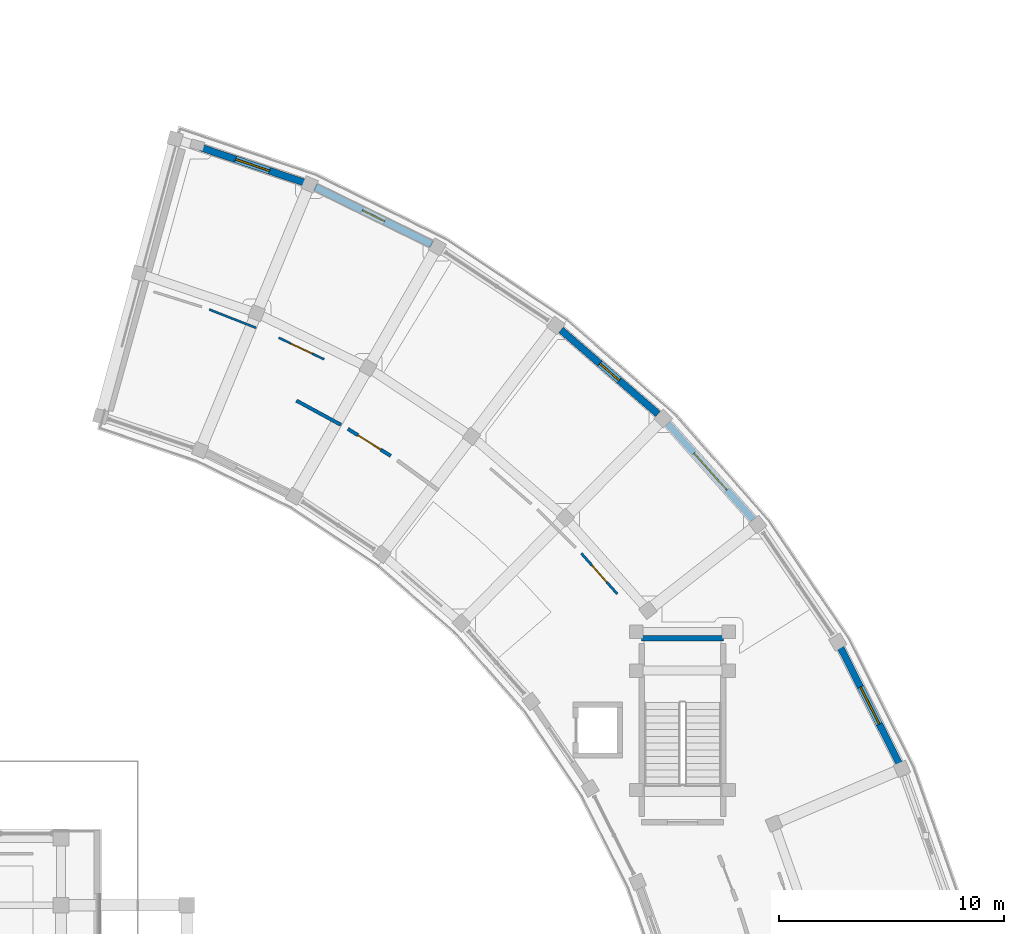
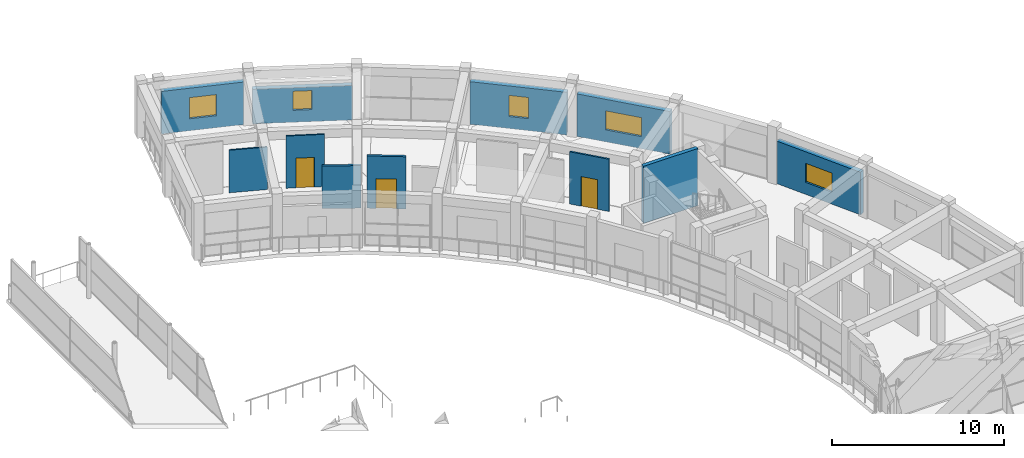
# One storey, part 39 of 53: 11 walls, 5 windows, 3 doors, 8 openings.
"""IFC4 building model written with IfcOpenShell, lengths in metres."""

from ifc_helpers import new_model, si_unit, direction, frame, frame_2d, origin, place, context, subcontext, project, spatial, rectangle, extrude, material, layer, layer_set, type_object, element, fill, save


model = new_model("IFC4")

# Units and contexts
model_context = context("Model", 3, precision=1e-05, world=origin(), true_north=direction((0.0, 1.0)))
body_context = subcontext(model_context, "Body", "Model", "MODEL_VIEW")
ifc_project = project(units=[si_unit("LENGTHUNIT", "METRE"), si_unit("AREAUNIT", "SQUARE_METRE"), si_unit("VOLUMEUNIT", "CUBIC_METRE"), si_unit("PLANEANGLEUNIT", "RADIAN"), si_unit("MASSUNIT", "GRAM", prefix="KILO")], contexts=[model_context])

# Site, building, storey
site_placement = place(None, origin())
site = spatial("IfcSite", under=ifc_project, at=site_placement, CompositionType="ELEMENT")
building_placement = place(site_placement, origin())
building = spatial("IfcBuilding", under=site, at=building_placement, Name="Saryqyr Civic Hall", CompositionType="ELEMENT")
storey_placement = place(building_placement, frame((0.0, 0.0, 21.300048828125)))
storey = spatial("IfcBuildingStorey", under=building, at=storey_placement, Name="L05", CompositionType="ELEMENT", Elevation=21.300048828125)

# Wall, opening, window
ifc_material_1 = material(Name="Precast concrete C40/50", Category="concrete")
ifc_layer_1 = layer(ifc_material_1, 0.31005859375, Name="Precast concrete C40/50")
ifc_layer_set_1 = layer_set([ifc_layer_1], Name="Precast concrete C40/50")
wall_type_1 = type_object("IfcWallType", Name="ENV-WAL-EXT-310", PredefinedType="STANDARD", material=ifc_layer_set_1)
wall_1_placement = place(storey_placement, frame((99.30859375, 108.685791015625, 0.0), z_axis=(0.0, 0.0, 1.0), x_axis=(0.451920591159, -0.892058170349, 0.0)))
wall_1 = element("IfcWall", 1, at=wall_1_placement, inside=storey, type_object=wall_type_1, Name="Exterior wall V6-EWO-L05-03", PredefinedType="STANDARD", context=body_context, shape_type="SweptSolid", body=[
    extrude(rectangle(XDim=5.801513671875, YDim=0.31005859375, at=frame_2d((2.90087890625, 0.0))), origin(), (0.0, 0.0, 1.0), 3.014892578125),
])
opening_1_placement = place(wall_1_placement, frame((1.97607421875, 0.0, 0.85009765625)))
opening_1 = element("IfcOpeningElement", 2, at=opening_1_placement, cuts=wall_1, Name="Opening W-06", PredefinedType="OPENING", context=body_context, shape_type="SweptSolid", body=[
    extrude(rectangle(XDim=1.85009765625, YDim=1.35009765625, at=frame_2d((0.925048828125, 0.675048828125))), frame((0.0, 0.1650390625, 0.0), z_axis=(0.0, -1.0, 0.0), x_axis=(1.0, 0.0, 0.0)), (0.0, 0.0, 1.0), 0.330078125),
])
ifc_material_2 = material(Name="Anodised aluminium and triple low-E glass", Category="aluminium")
window_type_1 = type_object("IfcWindowType", Name="ENV-WIN-W06", PartitioningType="SINGLE_PANEL", PredefinedType="WINDOW", material=ifc_material_2)
window_1_placement = place(opening_1_placement, origin())
window_1 = element("IfcWindow", 3, at=window_1_placement, inside=storey, type_object=window_type_1, Name="Exterior ribbon window V6-L05-03", OverallHeight=1.35009765625, OverallWidth=1.85009765625, PartitioningType="SINGLE_PANEL", PredefinedType="WINDOW", context=body_context, shape_type="SweptSolid", body=[
    extrude(rectangle(XDim=1.85009765625, YDim=1.35009765625, at=frame_2d((0.925048828125, 0.675048828125))), frame((0.0, 0.030029296875, 0.0), z_axis=(0.0, -1.0, 0.0), x_axis=(1.0, 0.0, 0.0)), (0.0, 0.0, 1.0), 0.06005859375),
])
fill(opening_1, window_1)

wall_2_placement = place(storey_placement, frame((91.626953125, 118.642333984375, 0.0), z_axis=(0.0, 0.0, 1.0), x_axis=(0.6649220167, -0.746912787217, 0.0)))
wall_2 = element("IfcWall", 4, at=wall_2_placement, inside=storey, type_object=wall_type_1, Name="Exterior wall V6-EWO-L05-05", PredefinedType="STANDARD", context=body_context, shape_type="SweptSolid", body=[
    extrude(rectangle(XDim=5.69921875, YDim=0.31005859375, at=frame_2d((2.849609375, 0.0))), origin(), (0.0, 0.0, 1.0), 3.014892578125),
])
opening_2_placement = place(wall_2_placement, frame((1.75, 0.0, 0.85009765625)))
opening_2 = element("IfcOpeningElement", 5, at=opening_2_placement, cuts=wall_2, Name="Opening W-08", PredefinedType="OPENING", context=body_context, shape_type="SweptSolid", body=[
    extrude(rectangle(XDim=2.199951171875, YDim=1.35009765625, at=frame_2d((1.10009765625, 0.675048828125))), frame((0.0, 0.1650390625, 0.0), z_axis=(0.0, -1.0, 0.0), x_axis=(1.0, 0.0, 0.0)), (0.0, 0.0, 1.0), 0.330078125),
])
window_type_2 = type_object("IfcWindowType", Name="ENV-WIN-W08", PartitioningType="SINGLE_PANEL", PredefinedType="WINDOW", material=ifc_material_2)
window_2_placement = place(opening_2_placement, origin())
window_2 = element("IfcWindow", 6, at=window_2_placement, inside=storey, type_object=window_type_2, Name="Exterior ribbon window V6-L05-05", OverallHeight=1.35009765625, OverallWidth=2.199951171875, PartitioningType="SINGLE_PANEL", PredefinedType="WINDOW", context=body_context, shape_type="SweptSolid", body=[
    extrude(rectangle(XDim=2.199951171875, YDim=1.35009765625, at=frame_2d((1.10009765625, 0.675048828125))), frame((0.0, 0.030029296875, 0.0), z_axis=(0.0, -1.0, 0.0), x_axis=(1.0, 0.0, 0.0)), (0.0, 0.0, 1.0), 0.06005859375),
])
fill(opening_2, window_2)

wall_3_placement = place(storey_placement, frame((86.87060546875, 122.818603515625, 0.0), z_axis=(0.0, 0.0, 1.0), x_axis=(0.755648143479, -0.654977773101, 0.0)))
wall_3 = element("IfcWall", 7, at=wall_3_placement, inside=storey, type_object=wall_type_1, Name="Exterior wall V6-EWO-L05-06", PredefinedType="STANDARD", context=body_context, shape_type="SweptSolid", body=[
    extrude(rectangle(XDim=5.706298828125, YDim=0.31005859375, at=frame_2d((2.85302734375, 0.0))), origin(), (0.0, 0.0, 1.0), 3.014892578125),
])
opening_3_placement = place(wall_3_placement, frame((2.278076171875, 0.0, 0.85009765625)))
opening_3 = element("IfcOpeningElement", 8, at=opening_3_placement, cuts=wall_3, Name="Opening W-09", PredefinedType="OPENING", context=body_context, shape_type="SweptSolid", body=[
    extrude(rectangle(XDim=1.14990234375, YDim=1.5, at=frame_2d((0.574951171875, 0.75))), frame((0.0, 0.1650390625, 0.0), z_axis=(0.0, -1.0, 0.0), x_axis=(1.0, 0.0, 0.0)), (0.0, 0.0, 1.0), 0.330078125),
])
window_type_3 = type_object("IfcWindowType", Name="ENV-WIN-W09", PartitioningType="SINGLE_PANEL", PredefinedType="WINDOW", material=ifc_material_2)
window_3_placement = place(opening_3_placement, origin())
window_3 = element("IfcWindow", 9, at=window_3_placement, inside=storey, type_object=window_type_3, Name="Exterior ribbon window V6-L05-06", OverallHeight=1.5, OverallWidth=1.14990234375, PartitioningType="SINGLE_PANEL", PredefinedType="WINDOW", context=body_context, shape_type="SweptSolid", body=[
    extrude(rectangle(XDim=1.14990234375, YDim=1.5, at=frame_2d((0.574951171875, 0.75))), frame((0.0, 0.030029296875, 0.0), z_axis=(0.0, -1.0, 0.0), x_axis=(1.0, 0.0, 0.0)), (0.0, 0.0, 1.0), 0.06005859375),
])
fill(opening_3, window_3)

wall_4_placement = place(storey_placement, frame((75.911376953125, 129.185791015625, 0.0), z_axis=(0.0, 0.0, 1.0), x_axis=(0.897990135392, -0.440015586927, 0.0)))
wall_4 = element("IfcWall", 10, at=wall_4_placement, inside=storey, type_object=wall_type_1, Name="Exterior wall V6-EWO-L05-08", PredefinedType="STANDARD", context=body_context, shape_type="SweptSolid", body=[
    extrude(rectangle(XDim=5.8046875, YDim=0.31005859375, at=frame_2d((2.90234375, 0.0))), origin(), (0.0, 0.0, 1.0), 2.449951171875),
])
opening_4_placement = place(wall_4_placement, frame((2.35205078125, 0.0, 0.85009765625)))
opening_4 = element("IfcOpeningElement", 11, at=opening_4_placement, cuts=wall_4, Name="Opening W-01", PredefinedType="OPENING", context=body_context, shape_type="SweptSolid", body=[
    extrude(rectangle(XDim=1.10009765625, YDim=1.35009765625, at=frame_2d((0.550048828125, 0.675048828125))), frame((0.0, 0.1650390625, 0.0), z_axis=(0.0, -1.0, 0.0), x_axis=(1.0, 0.0, 0.0)), (0.0, 0.0, 1.0), 0.330078125),
])
window_type_4 = type_object("IfcWindowType", Name="ENV-WIN-W01", PartitioningType="SINGLE_PANEL", PredefinedType="WINDOW", material=ifc_material_2)
window_4_placement = place(opening_4_placement, origin())
window_4 = element("IfcWindow", 12, at=window_4_placement, inside=storey, type_object=window_type_4, Name="Exterior ribbon window V6-L05-08", OverallHeight=1.35009765625, OverallWidth=1.10009765625, PartitioningType="SINGLE_PANEL", PredefinedType="WINDOW", context=body_context, shape_type="SweptSolid", body=[
    extrude(rectangle(XDim=1.10009765625, YDim=1.35009765625, at=frame_2d((0.550048828125, 0.675048828125))), frame((0.0, 0.030029296875, 0.0), z_axis=(0.0, -1.0, 0.0), x_axis=(1.0, 0.0, 0.0)), (0.0, 0.0, 1.0), 0.06005859375),
])
fill(opening_4, window_4)

wall_5_placement = place(storey_placement, frame((70.820556640625, 130.945068359375, 0.0), z_axis=(0.0, 0.0, 1.0), x_axis=(0.947186506556, -0.320683210969, 0.0)))
wall_5 = element("IfcWall", 13, at=wall_5_placement, inside=storey, type_object=wall_type_1, Name="Exterior wall V6-EWO-L05-09", PredefinedType="STANDARD", context=body_context, shape_type="SweptSolid", body=[
    extrude(rectangle(XDim=4.87841796875, YDim=0.31005859375, at=frame_2d((2.439208984375, 0.0))), origin(), (0.0, 0.0, 1.0), 3.014892578125),
])
opening_5_placement = place(wall_5_placement, frame((1.638916015625, 0.0, 0.85009765625)))
opening_5 = element("IfcOpeningElement", 14, at=opening_5_placement, cuts=wall_5, Name="Opening W-12", PredefinedType="OPENING", context=body_context, shape_type="SweptSolid", body=[
    extrude(rectangle(XDim=1.60009765625, YDim=1.5, at=frame_2d((0.800048828125, 0.75))), frame((0.0, 0.1650390625, 0.0), z_axis=(0.0, -1.0, 0.0), x_axis=(1.0, 0.0, 0.0)), (0.0, 0.0, 1.0), 0.330078125),
])
window_type_5 = type_object("IfcWindowType", Name="ENV-WIN-W12", PartitioningType="SINGLE_PANEL", PredefinedType="WINDOW", material=ifc_material_2)
window_5_placement = place(opening_5_placement, origin())
window_5 = element("IfcWindow", 15, at=window_5_placement, inside=storey, type_object=window_type_5, Name="Exterior ribbon window V6-L05-09", OverallHeight=1.5, OverallWidth=1.60009765625, PartitioningType="SINGLE_PANEL", PredefinedType="WINDOW", context=body_context, shape_type="SweptSolid", body=[
    extrude(rectangle(XDim=1.60009765625, YDim=1.5, at=frame_2d((0.800048828125, 0.75))), frame((0.0, 0.030029296875, 0.0), z_axis=(0.0, -1.0, 0.0), x_axis=(1.0, 0.0, 0.0)), (0.0, 0.0, 1.0), 0.06005859375),
])
fill(opening_5, window_5)

# Wall, opening, door
ifc_material_3 = material(Name="Lightweight demountable partition", Category="gypsum")
ifc_layer_2 = layer(ifc_material_3, 0.094970703125, Name="Lightweight demountable partition")
ifc_layer_set_2 = layer_set([ifc_layer_2], Name="Lightweight demountable partition")
wall_type_2 = type_object("IfcWallType", Name="INT-WAL-PRT-095", PredefinedType="PARTITIONING", material=ifc_layer_set_2)
wall_6_placement = place(storey_placement, frame((76.314208984375, 121.513916015625, 0.0), z_axis=(0.0, 0.0, 1.0), x_axis=(-0.902799981711, 0.430060685279, 0.0)))
wall_6 = element("IfcWall", 16, at=wall_6_placement, inside=storey, type_object=wall_type_2, Name="Interior partition PRT-SP-V6-L05-R03-W1", PredefinedType="PARTITIONING", context=body_context, shape_type="SweptSolid", body=[
    extrude(rectangle(XDim=2.236572265625, YDim=0.094970703125, at=frame_2d((1.1181640625, 0.0))), origin(), (0.0, 0.0, 1.0), 3.699951171875),
])
opening_6_placement = place(wall_6_placement, frame((0.593017578125, 0.0, 0.0)))
opening_6 = element("IfcOpeningElement", 17, at=opening_6_placement, cuts=wall_6, Name="Opening D-04", PredefinedType="OPENING", context=body_context, shape_type="SweptSolid", body=[
    extrude(rectangle(XDim=1.050048828125, YDim=2.10009765625, at=frame_2d((0.52490234375, 1.050048828125))), frame((0.0, 0.057373046875, 0.0), z_axis=(0.0, -1.0, 0.0), x_axis=(1.0, 0.0, 0.0)), (0.0, 0.0, 1.0), 0.114990234375),
])
ifc_material_4 = material(Name="Acoustic solid-core oak veneer", Category="wood")
door_type_1 = type_object("IfcDoorType", Name="INT-DR-D-04", OperationType="NOTDEFINED", PredefinedType="DOOR", material=ifc_material_4)
door_1_placement = place(opening_6_placement, origin())
door_1 = element("IfcDoor", 18, at=door_1_placement, inside=storey, type_object=door_type_1, Name="Interior door Executive Suite Restroom & Accessible MGN WC L05-N", OperationType="SINGLE_SWING_RIGHT", OverallHeight=2.10009765625, OverallWidth=1.050048828125, PredefinedType="DOOR", context=body_context, shape_type="SweptSolid", body=[
    extrude(rectangle(XDim=1.050048828125, YDim=2.10009765625, at=frame_2d((0.52490234375, 1.050048828125))), frame((0.0, 0.02490234375, 0.0), z_axis=(0.0, -1.0, 0.0), x_axis=(1.0, 0.0, 0.0)), (0.0, 0.0, 1.0), 0.050048828125),
])
fill(opening_6, door_1)

# Wall
wall_7_placement = place(storey_placement, frame((73.28662109375, 122.91357421875, 0.0), z_axis=(0.0, 0.0, 1.0), x_axis=(-0.930799244524, 0.365530800881, 0.0)))
element("IfcWall", 19, at=wall_7_placement, inside=storey, type_object=wall_type_2, Name="Interior partition PRT-SP-V6-L05-R03-W2", PredefinedType="PARTITIONING", context=body_context, shape_type="SweptSolid", body=[
    extrude(rectangle(XDim=2.23681640625, YDim=0.094970703125, at=frame_2d((1.118408203125, 0.0))), origin(), (0.0, 0.0, 1.0), 3.014892578125),
])

# Wall, opening, door
ifc_material_5 = material(Name="Moisture-resistant gypsum partition", Category="gypsum")
ifc_layer_3 = layer(ifc_material_5, 0.110107421875, Name="Moisture-resistant gypsum partition")
ifc_layer_set_3 = layer_set([ifc_layer_3], Name="Moisture-resistant gypsum partition")
wall_type_3 = type_object("IfcWallType", Name="INT-WAL-PRT-110", PredefinedType="PARTITIONING", material=ifc_layer_set_3)
wall_8_placement = place(storey_placement, frame((89.373046875, 111.06201171875, 0.0), z_axis=(0.0, 0.0, 1.0), x_axis=(-0.663032006794, 0.748591048549, 0.0)))
wall_8 = element("IfcWall", 20, at=wall_8_placement, inside=storey, type_object=wall_type_3, Name="Interior partition PRT-SP-V6-L05-R02-W2", PredefinedType="PARTITIONING", context=body_context, shape_type="SweptSolid", body=[
    extrude(rectangle(XDim=2.4140625, YDim=0.110107421875, at=frame_2d((1.20703125, 0.0))), origin(), (0.0, 0.0, 1.0), 3.699951171875),
])
opening_7_placement = place(wall_8_placement, frame((0.70703125, 0.0, 0.0)))
opening_7 = element("IfcOpeningElement", 21, at=opening_7_placement, cuts=wall_8, Name="Opening D-03", PredefinedType="OPENING", context=body_context, shape_type="SweptSolid", body=[
    extrude(rectangle(XDim=1.0, YDim=2.10009765625, at=frame_2d((0.5, 1.050048828125))), frame((0.0, 0.06494140625, 0.0), z_axis=(0.0, -1.0, 0.0), x_axis=(1.0, 0.0, 0.0)), (0.0, 0.0, 1.0), 0.130126953125),
])
door_type_2 = type_object("IfcDoorType", Name="INT-DR-D-03", OperationType="NOTDEFINED", PredefinedType="DOOR", material=ifc_material_4)
door_2_placement = place(opening_7_placement, origin())
door_2 = element("IfcDoor", 22, at=door_2_placement, inside=storey, type_object=door_type_2, Name="Interior door Civic Diplomatic Reception Salon", OperationType="SINGLE_SWING_LEFT", OverallHeight=2.10009765625, OverallWidth=1.0, PredefinedType="DOOR", context=body_context, shape_type="SweptSolid", body=[
    extrude(rectangle(XDim=1.0, YDim=2.10009765625, at=frame_2d((0.5, 1.050048828125))), frame((0.0, 0.02490234375, 0.0), z_axis=(0.0, -1.0, 0.0), x_axis=(1.0, 0.0, 0.0)), (0.0, 0.0, 1.0), 0.050048828125),
])
fill(opening_7, door_2)

ifc_material_6 = material(Name="Acoustic double-stud gypsum board", Category="gypsum")
ifc_layer_4 = layer(ifc_material_6, 0.155029296875, Name="Acoustic double-stud gypsum board")
ifc_layer_set_4 = layer_set([ifc_layer_4], Name="Acoustic double-stud gypsum board")
wall_type_4 = type_object("IfcWallType", Name="INT-WAL-PRT-155", PredefinedType="PARTITIONING", material=ifc_layer_set_4)
wall_9_placement = place(storey_placement, frame((77.37890625, 118.4130859375, 0.0), z_axis=(0.0, 0.0, 1.0), x_axis=(0.845738539687, -0.533597528562, 0.0)))
wall_9 = element("IfcWall", 23, at=wall_9_placement, inside=storey, type_object=wall_type_4, Name="Interior partition PRT-SP-V6-L05-R05-W1", PredefinedType="PARTITIONING", context=body_context, shape_type="SweptSolid", body=[
    extrude(rectangle(XDim=2.25341796875, YDim=0.155029296875, at=frame_2d((1.126708984375, 0.0))), origin(), (0.0, 0.0, 1.0), 3.699951171875),
])
opening_8_placement = place(wall_9_placement, frame((0.527099609375, 0.0, 0.0)))
opening_8 = element("IfcOpeningElement", 24, at=opening_8_placement, cuts=wall_9, Name="Opening D-06", PredefinedType="OPENING", context=body_context, shape_type="SweptSolid", body=[
    extrude(rectangle(XDim=1.199951171875, YDim=2.10009765625, at=frame_2d((0.60009765625, 1.050048828125))), frame((0.0, 0.08740234375, 0.0), z_axis=(0.0, -1.0, 0.0), x_axis=(1.0, 0.0, 0.0)), (0.0, 0.0, 1.0), 0.175048828125),
])
door_type_3 = type_object("IfcDoorType", Name="INT-DR-D-06", OperationType="NOTDEFINED", PredefinedType="DOOR", material=ifc_material_4)
door_3_placement = place(opening_8_placement, origin())
door_3 = element("IfcDoor", 25, at=door_3_placement, inside=storey, type_object=door_type_3, Name="Interior door Mayor's Private Antechamber", OperationType="SINGLE_SWING_RIGHT", OverallHeight=2.10009765625, OverallWidth=1.199951171875, PredefinedType="DOOR", context=body_context, shape_type="SweptSolid", body=[
    extrude(rectangle(XDim=1.199951171875, YDim=2.10009765625, at=frame_2d((0.60009765625, 1.050048828125))), frame((0.0, 0.02490234375, 0.0), z_axis=(0.0, -1.0, 0.0), x_axis=(1.0, 0.0, 0.0)), (0.0, 0.0, 1.0), 0.050048828125),
])
fill(opening_8, door_3)

# Walls
wall_10_placement = place(storey_placement, frame((75.08837890625, 119.67041015625, 0.0), z_axis=(0.0, 0.0, 1.0), x_axis=(0.878788517668, -0.477211421925, 0.0)))
element("IfcWall", 26, at=wall_10_placement, inside=storey, type_object=wall_type_4, Name="Interior partition PRT-SP-V6-L05-R05-W2", PredefinedType="PARTITIONING", context=body_context, shape_type="SweptSolid", body=[
    extrude(rectangle(XDim=2.253173828125, YDim=0.155029296875, at=frame_2d((1.12646484375, 0.0))), origin(), (0.0, 0.0, 1.0), 3.014892578125),
])
ifc_material_7 = material(Name="Concrete C40/50", Category="concrete")
ifc_layer_5 = layer(ifc_material_7, 0.25, Name="Concrete C40/50")
ifc_layer_set_5 = layer_set([ifc_layer_5], Name="Concrete C40/50")
wall_type_5 = type_object("IfcWallType", Name="INT-WAL-SHR-250", PredefinedType="SHEAR", material=ifc_layer_set_5)
wall_11_placement = place(storey_placement, frame((90.4599609375, 109.10009765625, 0.0), z_axis=(0.0, 0.0, 1.0), x_axis=(1.0, 0.0, 0.0)))
element("IfcWall", 27, at=wall_11_placement, inside=storey, type_object=wall_type_5, Name="Protected stair shaft wall ST-6-SW3-L05", PredefinedType="SHEAR", context=body_context, shape_type="SweptSolid", body=[
    extrude(rectangle(XDim=3.64013671875, YDim=0.25, at=frame_2d((1.820068359375, 0.0))), origin(), (0.0, 0.0, 1.0), 4.050048828125),
])

save(model, "model.ifc")
